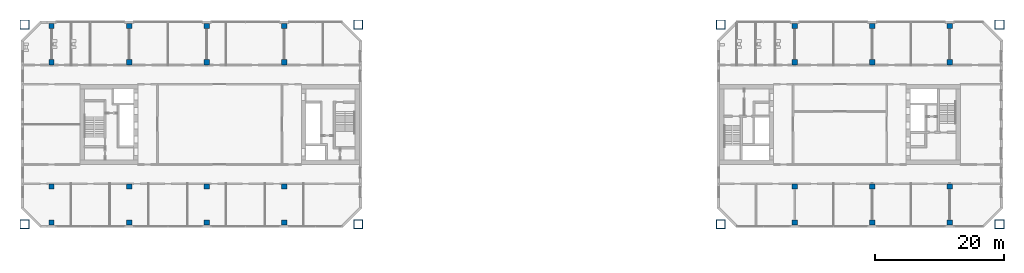
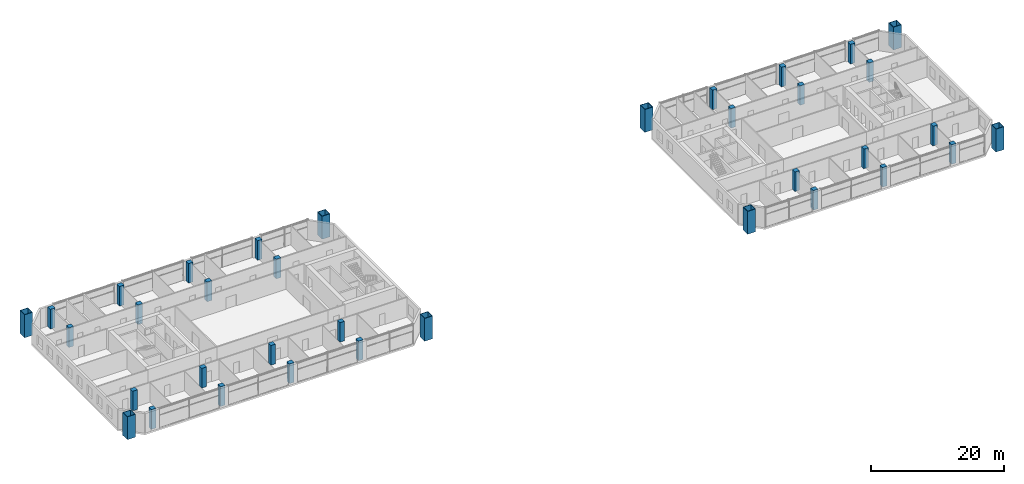
# One storey, part 1 of 19: 36 columns.
"""IFC4 building model written with IfcOpenShell, lengths in metres."""

from ifc_helpers import new_model, si_unit, direction, frame, origin, origin_2d, place, context, subcontext, project, spatial, rectangle, hollow_rectangle, extrude, material, material_profile, profile_set, type_object, element, save


model = new_model("IFC4")

# Units and contexts
model_context = context("Model", 3, precision=1e-05, world=origin(), true_north=direction((0.0, 1.0)))
body_context = subcontext(model_context, "Body", "Model", "MODEL_VIEW")
ifc_project = project(units=[si_unit("LENGTHUNIT", "METRE"), si_unit("AREAUNIT", "SQUARE_METRE"), si_unit("VOLUMEUNIT", "CUBIC_METRE"), si_unit("PLANEANGLEUNIT", "RADIAN"), si_unit("MASSUNIT", "GRAM", prefix="KILO")], contexts=[model_context])

# Site, building, storey
site_placement = place(None, origin())
site = spatial("IfcSite", under=ifc_project, at=site_placement, CompositionType="ELEMENT")
building_placement = place(site_placement, origin())
building = spatial("IfcBuilding", under=site, at=building_placement, Name="Tuart Gate Housing", CompositionType="ELEMENT")
storey_placement = place(building_placement, frame((0.0, 0.0, 67.39990234375)))
storey = spatial("IfcBuildingStorey", under=building, at=storey_placement, Name="L18", CompositionType="ELEMENT", Elevation=67.39990234375)

# Columns
ifc_material_1 = material(Name="Steel Grade 350", Category="steel")
ifc_material_profile_1 = material_profile(ifc_material_1, hollow_rectangle(XDim=1.39990234375, YDim=1.39990234375, WallThickness=0.074951171875, at=origin_2d()), Name="BOX 1400x1400x75")
ifc_profile_set_1 = profile_set([ifc_material_profile_1], Name="Steel Grade 350")
column_type_1 = type_object("IfcColumnType", Name="Mega column BOX 1400x1400x75", PredefinedType="COLUMN", material=ifc_profile_set_1)
for number, where, z_axis, x_axis, name in (
    (1, (23.800048828125, 54.550048828125, 0.0), (0.0, 0.0, 1.0), (1.0, 0.0, 0.0), "Mega column A south-west L18"),
    (2, (75.449951171875, 54.550048828125, 0.0), (0.0, 0.0, 1.0), (1.0, 0.0, 0.0), "Mega column A south-east L18"),
    (3, (75.449951171875, 85.449951171875, 0.0), (0.0, 0.0, 1.0), (1.0, 0.0, 0.0), "Mega column A north-east L18"),
    (4, (23.800048828125, 85.449951171875, 0.0), (0.0, 0.0, 1.0), (1.0, 0.0, 0.0), "Mega column A north-west L18"),
    (5, (131.550048828125, 54.550048828125, 0.0), (0.0, 0.0, 1.0), (1.0, 0.0, 0.0), "Mega column B south-west L18"),
    (6, (174.699951171875, 54.550048828125, 0.0), (0.0, 0.0, 1.0), (1.0, 0.0, 0.0), "Mega column B south-east L18"),
    (7, (174.699951171875, 85.449951171875, 0.0), (0.0, 0.0, 1.0), (1.0, 0.0, 0.0), "Mega column B north-east L18"),
    (8, (131.550048828125, 85.449951171875, 0.0), (0.0, 0.0, 1.0), (1.0, 0.0, 0.0), "Mega column B north-west L18"),
):
    element("IfcColumn", number, at=place(storey_placement, frame(where, z_axis=z_axis, x_axis=x_axis)), inside=storey, type_object=column_type_1, Name=name, PredefinedType="COLUMN", context=body_context, shape_type="SweptSolid", body=[
        extrude(hollow_rectangle(XDim=1.39990234375, YDim=1.39990234375, WallThickness=0.074951171875, at=origin_2d()), origin(), (0.0, 0.0, 1.0), 4.2001953125),
    ])
ifc_material_2 = material(Name="Concrete C50", Category="concrete")
ifc_material_profile_2 = material_profile(ifc_material_2, rectangle(XDim=0.800048828125, YDim=0.800048828125, at=origin_2d()), Name="RC column 800 x 800")
ifc_profile_set_2 = profile_set([ifc_material_profile_2], Name="Concrete C50")
column_type_2 = type_object("IfcColumnType", Name="RC column 800 x 800", PredefinedType="COLUMN", material=ifc_profile_set_2)
for number, where, z_axis, x_axis, name in (
    (9, (28.0, 54.800048828125, 0.0), (0.0, 0.0, 1.0), (1.0, 0.0, 0.0), "RC column 1 L18"),
    (10, (28.0, 60.39990234375, 0.0), (0.0, 0.0, 1.0), (1.0, 0.0, 0.0), "RC column 4 L18"),
    (11, (28.0, 79.60009765625, 0.0), (0.0, 0.0, 1.0), (1.0, 0.0, 0.0), "RC column 5 L18"),
    (12, (28.0, 85.199951171875, 0.0), (0.0, 0.0, 1.0), (1.0, 0.0, 0.0), "RC column 8 L18"),
    (13, (40.0, 54.800048828125, 0.0), (0.0, 0.0, 1.0), (1.0, 0.0, 0.0), "RC column 9 L18"),
    (14, (40.0, 60.39990234375, 0.0), (0.0, 0.0, 1.0), (1.0, 0.0, 0.0), "RC column 12 L18"),
    (15, (40.0, 79.60009765625, 0.0), (0.0, 0.0, 1.0), (1.0, 0.0, 0.0), "RC column 13 L18"),
    (16, (40.0, 85.199951171875, 0.0), (0.0, 0.0, 1.0), (1.0, 0.0, 0.0), "RC column 16 L18"),
    (17, (52.0, 54.800048828125, 0.0), (0.0, 0.0, 1.0), (1.0, 0.0, 0.0), "RC column 17 L18"),
    (18, (52.0, 60.39990234375, 0.0), (0.0, 0.0, 1.0), (1.0, 0.0, 0.0), "RC column 18 L18"),
    (19, (52.0, 79.60009765625, 0.0), (0.0, 0.0, 1.0), (1.0, 0.0, 0.0), "RC column 19 L18"),
    (20, (52.0, 85.199951171875, 0.0), (0.0, 0.0, 1.0), (1.0, 0.0, 0.0), "RC column 20 L18"),
    (21, (64.0, 54.800048828125, 0.0), (0.0, 0.0, 1.0), (1.0, 0.0, 0.0), "RC column 21 L18"),
    (22, (64.0, 60.39990234375, 0.0), (0.0, 0.0, 1.0), (1.0, 0.0, 0.0), "RC column 22 L18"),
    (23, (64.0, 79.60009765625, 0.0), (0.0, 0.0, 1.0), (1.0, 0.0, 0.0), "RC column 23 L18"),
    (24, (64.0, 85.199951171875, 0.0), (0.0, 0.0, 1.0), (1.0, 0.0, 0.0), "RC column 24 L18"),
    (25, (143.0, 54.800048828125, 0.0), (0.0, 0.0, 1.0), (1.0, 0.0, 0.0), "RC column 25 L18"),
    (26, (143.0, 60.39990234375, 0.0), (0.0, 0.0, 1.0), (1.0, 0.0, 0.0), "RC column 26 L18"),
    (27, (143.0, 79.60009765625, 0.0), (0.0, 0.0, 1.0), (1.0, 0.0, 0.0), "RC column 27 L18"),
    (28, (143.0, 85.199951171875, 0.0), (0.0, 0.0, 1.0), (1.0, 0.0, 0.0), "RC column 28 L18"),
    (29, (155.0, 54.800048828125, 0.0), (0.0, 0.0, 1.0), (1.0, 0.0, 0.0), "RC column 29 L18"),
    (30, (155.0, 60.39990234375, 0.0), (0.0, 0.0, 1.0), (1.0, 0.0, 0.0), "RC column 30 L18"),
    (31, (155.0, 79.60009765625, 0.0), (0.0, 0.0, 1.0), (1.0, 0.0, 0.0), "RC column 31 L18"),
    (32, (155.0, 85.199951171875, 0.0), (0.0, 0.0, 1.0), (1.0, 0.0, 0.0), "RC column 32 L18"),
    (33, (167.0, 54.800048828125, 0.0), (0.0, 0.0, 1.0), (1.0, 0.0, 0.0), "RC column 33 L18"),
    (34, (167.0, 60.39990234375, 0.0), (0.0, 0.0, 1.0), (1.0, 0.0, 0.0), "RC column 36 L18"),
    (35, (167.0, 79.60009765625, 0.0), (0.0, 0.0, 1.0), (1.0, 0.0, 0.0), "RC column 37 L18"),
    (36, (167.0, 85.199951171875, 0.0), (0.0, 0.0, 1.0), (1.0, 0.0, 0.0), "RC column 40 L18"),
):
    element("IfcColumn", number, at=place(storey_placement, frame(where, z_axis=z_axis, x_axis=x_axis)), inside=storey, type_object=column_type_2, Name=name, PredefinedType="COLUMN", context=body_context, shape_type="SweptSolid", body=[
        extrude(rectangle(XDim=0.800048828125, YDim=0.800048828125, at=origin_2d()), origin(), (0.0, 0.0, 1.0), 3.60009765625),
    ])

save(model, "model.ifc")
